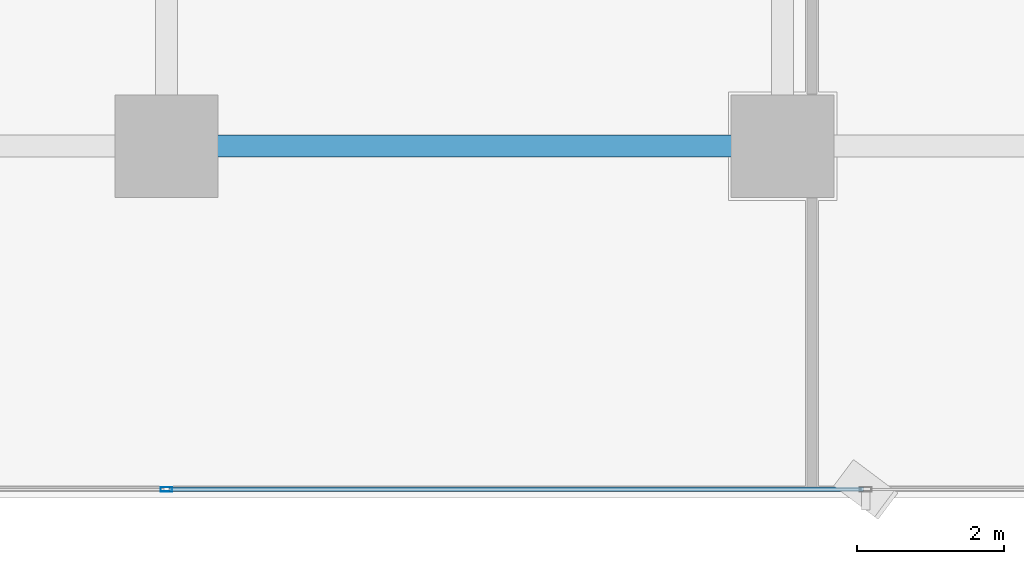
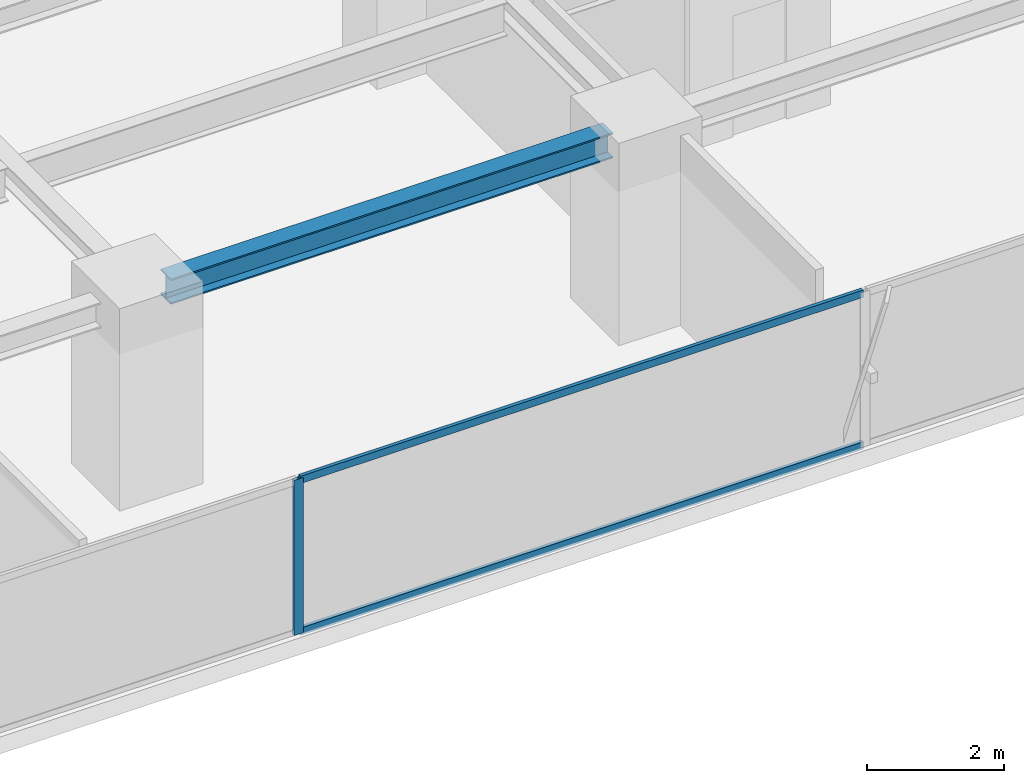
# One storey, part 5 of 29: 3 members, 1 beam, 1 element without a shape of its own.
"""IFC4 building model written with IfcOpenShell, lengths in metres."""

from ifc_helpers import new_model, si_unit, direction, frame, origin, origin_2d, place, context, subcontext, project, spatial, hollow_rectangle, i_section, extrude, source, transform, mapped, material, layer, layer_set, material_profile, profile_set, type_object, element, aggregate, save


model = new_model("IFC4")

# Units and contexts
model_context = context("Model", 3, precision=1e-05, world=origin(), true_north=direction((0.0, 1.0)))
body_context = subcontext(model_context, "Body", "Model", "MODEL_VIEW")
ifc_project = project(units=[si_unit("LENGTHUNIT", "METRE"), si_unit("AREAUNIT", "SQUARE_METRE"), si_unit("VOLUMEUNIT", "CUBIC_METRE"), si_unit("PLANEANGLEUNIT", "RADIAN"), si_unit("MASSUNIT", "GRAM", prefix="KILO")], contexts=[model_context])

# Site, building, storey
site_placement = place(None, origin())
site = spatial("IfcSite", under=ifc_project, at=site_placement, CompositionType="ELEMENT")
building_placement = place(site_placement, origin())
building = spatial("IfcBuilding", under=site, at=building_placement, Name="Sumidabori Civic Tower", CompositionType="ELEMENT")
storey_placement = place(building_placement, frame((0.0, 0.0, 131.60009765625)))
storey = spatial("IfcBuildingStorey", under=building, at=storey_placement, Name="L33", CompositionType="ELEMENT", Elevation=131.60009765625)

# Beam
ifc_material_1 = material(Name="Steel SN490", Category="steel")
ifc_material_profile_1 = material_profile(ifc_material_1, i_section(OverallWidth=0.300048828125, OverallDepth=0.449951171875, WebThickness=0.013916015625, FlangeThickness=0.02587890625, at=origin_2d()), Name="HE 450 B")
ifc_profile_set_1 = profile_set([ifc_material_profile_1], Name="Steel SN490")
beam_type = type_object("IfcBeamType", Name="BM-GIRD-450", PredefinedType="BEAM", material=ifc_profile_set_1)
shared_shape_1 = source(origin(), body_context, "Body", "SweptSolid", [
    extrude(i_section(OverallWidth=0.300048828125, OverallDepth=0.449951171875, WebThickness=0.013916015625, FlangeThickness=0.02587890625, at=origin_2d()), origin(), (0.0, 0.0, 1.0), 7.43994140625),
])
beam_placement = place(storey_placement, frame((0.47998046875, -18.0, 3.15478515625), z_axis=(1.0, 0.0, 0.0), x_axis=(0.0, 1.0, 0.0)))
element("IfcBeam", 1, at=beam_placement, inside=storey, type_object=beam_type, Name="Primary Girder L33 GX-03", PredefinedType="BEAM", context=body_context, shape_type="MappedRepresentation", body=[
    mapped(shared_shape_1, transform((0.0, 0.0, 0.0), x_axis=(1.0, 0.0, 0.0), y_axis=(0.0, 1.0, 0.0), z_axis=(0.0, 0.0, 1.0), scale=1.0)),
])

# Curtain wall, members
ifc_material_2 = material(Name="Anodised Bronze Aluminium AW-6063-T6", Category="aluminium")
ifc_layer = layer(ifc_material_2, 0.179931640625, Name="Anodised Bronze Aluminium AW-6063-T6")
ifc_layer_set = layer_set([ifc_layer], Name="Anodised Bronze Aluminium AW-6063-T6")
curtain_wall_type = type_object("IfcCurtainWallType", Name="CW-SYS-3", PredefinedType="NOTDEFINED", material=ifc_layer_set)
curtain_wall_placement = place(storey_placement, origin())
curtain_wall = element("IfcCurtainWall", 2, at=curtain_wall_placement, inside=storey, type_object=curtain_wall_type, Name="Curtain Wall CW:L33:R01", PredefinedType="NOTDEFINED")
ifc_material_profile_2 = material_profile(ifc_material_2, hollow_rectangle(XDim=0.06494140625, YDim=0.159912109375, WallThickness=0.0048828125, at=origin_2d()), Name="ALU MULLION 160x65")
ifc_profile_set_2 = profile_set([ifc_material_profile_2], Name="Anodised Bronze Aluminium AW-6063-T6")
member_type_1 = type_object("IfcMemberType", Name="CW-MUL-160", PredefinedType="MULLION", material=ifc_profile_set_2)
shared_shape_2 = source(origin(), body_context, "Body", "SweptSolid", [
    extrude(hollow_rectangle(XDim=0.06494140625, YDim=0.159912109375, WallThickness=0.0048828125, at=origin_2d()), origin(), (0.0, 0.0, 1.0), 2.760009765625),
])
member_1_placement = place(storey_placement, frame((0.0, -22.679931640625, 0.0), z_axis=(0.0, 0.0, 1.0), x_axis=(0.0, 1.0, 0.0)))
member_1 = element("IfcMember", 3, at=member_1_placement, type_object=member_type_1, Name="CW-3 mullion 3", PredefinedType="MULLION", context=body_context, shape_type="MappedRepresentation", body=[
    mapped(shared_shape_2, transform((0.0, 0.0, 0.0), x_axis=(1.0, 0.0, 0.0), y_axis=(0.0, 1.0, 0.0), z_axis=(0.0, 0.0, 1.0), scale=1.0)),
])
ifc_material_profile_3 = material_profile(ifc_material_2, hollow_rectangle(XDim=0.06005859375, YDim=0.1298828125, WallThickness=0.0048828125, at=origin_2d()), Name="ALU TRANSOM 130x60")
ifc_profile_set_3 = profile_set([ifc_material_profile_3], Name="Anodised Bronze Aluminium AW-6063-T6")
member_type_2 = type_object("IfcMemberType", Name="CW-TRN-130", PredefinedType="USERDEFINED", material=ifc_profile_set_3)
shared_shape_3 = source(origin(), body_context, "Body", "SweptSolid", [
    extrude(hollow_rectangle(XDim=0.06005859375, YDim=0.1298828125, WallThickness=0.0048828125, at=origin_2d()), origin(), (0.0, 0.0, 1.0), 9.469970703125),
])
member_2_placement = place(storey_placement, frame((0.032470703125, -22.679931640625, 0.02978515625), z_axis=(1.0, 0.0, 0.0), x_axis=(0.0, 1.0, 0.0)))
member_2 = element("IfcMember", 4, at=member_2_placement, type_object=member_type_2, Name="CW-3 transom 3.1", ObjectType="TRANSOM", PredefinedType="USERDEFINED", context=body_context, shape_type="MappedRepresentation", body=[
    mapped(shared_shape_3, transform((0.0, 0.0, 0.0), x_axis=(1.0, 0.0, 0.0), y_axis=(0.0, 1.0, 0.0), z_axis=(0.0, 0.0, 1.0), scale=1.0)),
])
member_3_placement = place(storey_placement, frame((0.032470703125, -22.679931640625, 2.72998046875), z_axis=(1.0, 0.0, 0.0), x_axis=(0.0, 1.0, 0.0)))
member_3 = element("IfcMember", 5, at=member_3_placement, type_object=member_type_2, Name="CW-3 transom 3.2", ObjectType="TRANSOM", PredefinedType="USERDEFINED", context=body_context, shape_type="MappedRepresentation", body=[
    mapped(shared_shape_3, transform((0.0, 0.0, 0.0), x_axis=(1.0, 0.0, 0.0), y_axis=(0.0, 1.0, 0.0), z_axis=(0.0, 0.0, 1.0), scale=1.0)),
])
aggregate(curtain_wall, [member_1, member_2, member_3])

save(model, "model.ifc")
